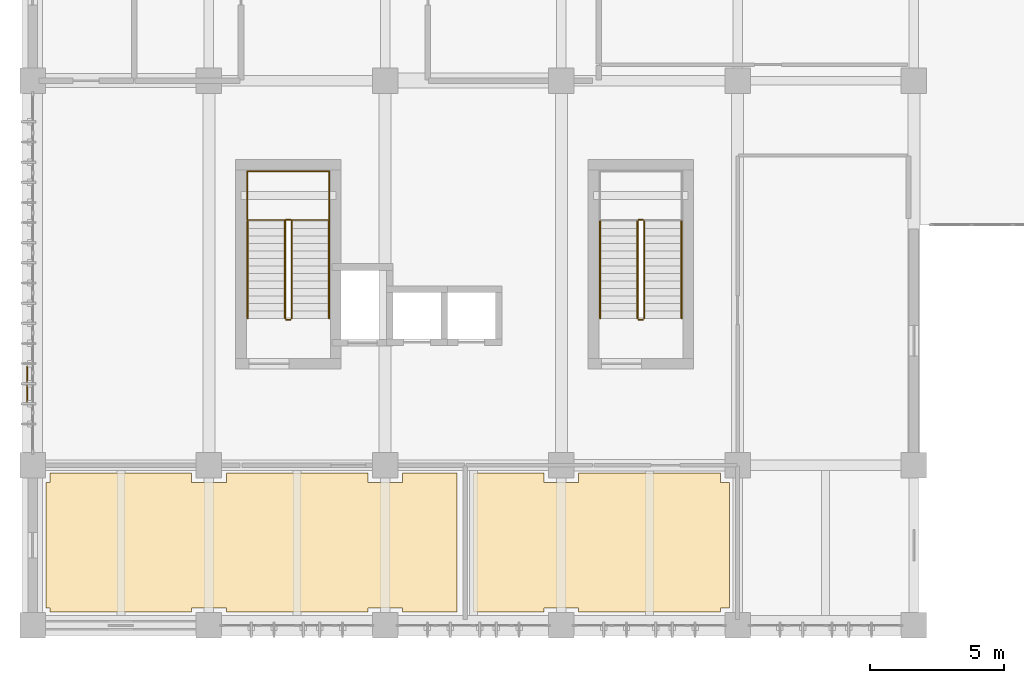
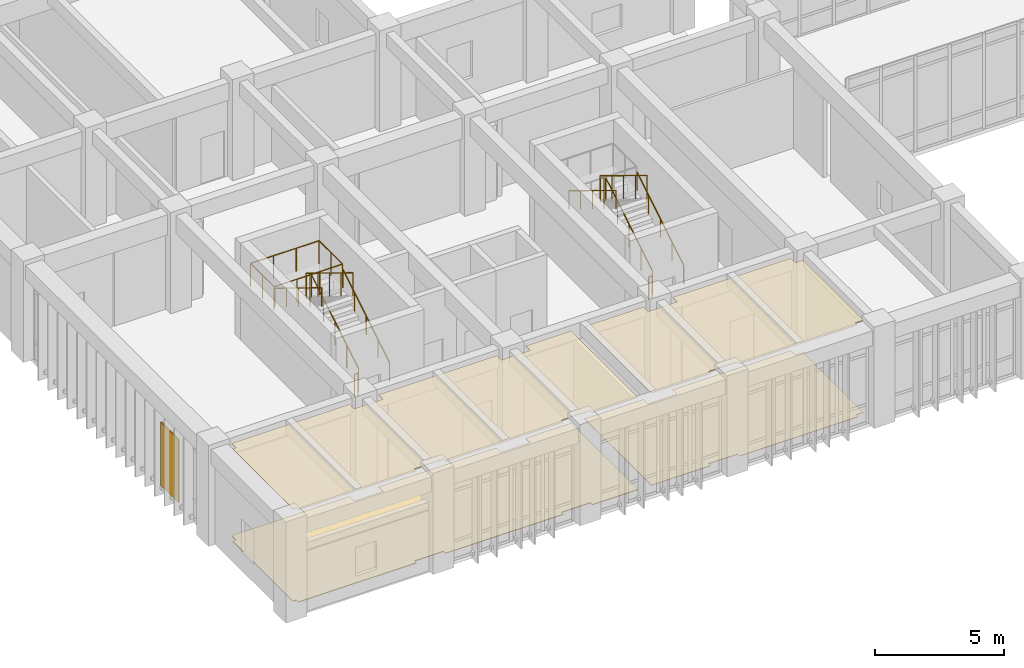
# One storey, part 58 of 65: 14 railings, 5 coverings.
"""IFC4 building model written with IfcOpenShell, lengths in metres."""

from ifc_helpers import new_model, si_unit, direction, frame, origin, origin_2d, place, context, subcontext, project, spatial, polyline, rectangle, circle, outline, extrude, material, layer, layer_set, type_object, element, save


model = new_model("IFC4")

# Units and contexts
model_context = context("Model", 3, precision=1e-05, world=origin(), true_north=direction((0.0, 1.0)))
body_context = subcontext(model_context, "Body", "Model", "MODEL_VIEW")
ifc_project = project(units=[si_unit("LENGTHUNIT", "METRE"), si_unit("AREAUNIT", "SQUARE_METRE"), si_unit("VOLUMEUNIT", "CUBIC_METRE"), si_unit("PLANEANGLEUNIT", "RADIAN"), si_unit("MASSUNIT", "GRAM", prefix="KILO")], contexts=[model_context])

# Site, building, storey
site_placement = place(None, origin())
site = spatial("IfcSite", under=ifc_project, at=site_placement, CompositionType="ELEMENT")
building_placement = place(site_placement, origin())
building = spatial("IfcBuilding", under=site, at=building_placement, Name="Miralva Faculty of Natural Sciences", CompositionType="ELEMENT")
storey_placement = place(building_placement, frame((0.0, 0.0, 10.199951171875)))
storey = spatial("IfcBuildingStorey", under=building, at=storey_placement, Name="L02", CompositionType="ELEMENT", Elevation=10.199951171875)

# Coverings
ifc_material_1 = material(Name="Volcanic tuff architectural stone", Category="masonry")
ifc_layer_1 = layer(ifc_material_1, 0.044921875, Name="COV-CD01")
ifc_layer_set_1 = layer_set([ifc_layer_1], Name="Volcanic tuff architectural stone")
covering_type_1 = type_object("IfcCoveringType", Name="COV-CD01", PredefinedType="CLADDING", material=ifc_layer_set_1)
covering_1_placement = place(storey_placement, frame((2.800048828125, 12.0, 0.300048828125), z_axis=(0.0, 0.0, 1.0), x_axis=(1.0, 0.0, 0.0)))
element("IfcCovering", 1, at=covering_1_placement, inside=storey, type_object=covering_type_1, Name="Volcanic tuff stone corner fascia cladding L02", PredefinedType="CLADDING", context=body_context, shape_type="SweptSolid", body=[
    extrude(rectangle(XDim=0.044921875, YDim=1.39990234375, at=origin_2d()), origin(), (0.0, 0.0, 1.0), 3.0),
])
ifc_material_2 = material(Name="Acoustic mineral-fibre board")
ifc_layer_2 = layer(ifc_material_2, 0.02197265625, Name="COV-CL01")
ifc_layer_set_2 = layer_set([ifc_layer_2], Name="Acoustic mineral-fibre board")
covering_type_2 = type_object("IfcCoveringType", Name="COV-CL01", PredefinedType="CEILING", material=ifc_layer_set_2)
covering_2_placement = place(storey_placement, frame((0.0, 0.0, 4.3779296875)))
element("IfcCovering", 2, at=covering_2_placement, inside=storey, type_object=covering_type_2, Name="Suspended acoustic ceiling L02-01", PredefinedType="CEILING", context=body_context, shape_type="SweptSolid", body=[
    extrude(outline(polyline([(8.949951171875, 8.699951171875), (8.949951171875, 8.35009765625), (10.25, 8.35009765625), (10.25, 8.699951171875), (15.550048828125, 8.699951171875), (15.550048828125, 8.35009765625), (16.85009765625, 8.35009765625), (16.85009765625, 8.699951171875), (18.89990234375, 8.699951171875), (18.89990234375, 3.5), (16.85009765625, 3.5), (16.85009765625, 3.64990234375), (15.550048828125, 3.64990234375), (15.550048828125, 3.5), (10.25, 3.5), (10.25, 3.64990234375), (8.949951171875, 3.64990234375), (8.949951171875, 3.5), (3.64990234375, 3.5), (3.64990234375, 3.64990234375), (3.5, 3.64990234375), (3.5, 8.35009765625), (3.64990234375, 8.35009765625), (3.64990234375, 8.699951171875), (8.949951171875, 8.699951171875)])), origin(), (0.0, 0.0, 1.0), 0.022216796875),
])
ifc_material_3 = material(Name="Gypsum plasterboard")
ifc_layer_3 = layer(ifc_material_3, 0.028076171875, Name="COV-CL02")
ifc_layer_set_3 = layer_set([ifc_layer_3], Name="Gypsum plasterboard")
covering_type_3 = type_object("IfcCoveringType", Name="COV-CL02", PredefinedType="CEILING", material=ifc_layer_set_3)
covering_3_placement = place(storey_placement, frame((0.0, 0.0, 4.3720703125)))
element("IfcCovering", 3, at=covering_3_placement, inside=storey, type_object=covering_type_3, Name="Suspended acoustic ceiling L02-02", PredefinedType="CEILING", context=body_context, shape_type="SweptSolid", body=[
    extrude(outline(polyline([(22.14990234375, 3.64990234375), (22.14990234375, 3.5), (19.5, 3.5), (19.5, 8.699951171875), (22.14990234375, 8.699951171875), (22.14990234375, 8.35009765625), (23.449951171875, 8.35009765625), (23.449951171875, 8.699951171875), (28.75, 8.699951171875), (28.75, 8.35009765625), (29.10009765625, 8.35009765625), (29.10009765625, 3.64990234375), (28.75, 3.64990234375), (28.75, 3.5), (23.449951171875, 3.5), (23.449951171875, 3.64990234375), (22.14990234375, 3.64990234375)])), origin(), (0.0, 0.0, 1.0), 0.028076171875),
])
ifc_material_4 = material(Name="Polished terrazzo flooring")
ifc_layer_4 = layer(ifc_material_4, 0.030029296875, Name="COV-FL01")
ifc_layer_set_4 = layer_set([ifc_layer_4], Name="Polished terrazzo flooring")
covering_type_4 = type_object("IfcCoveringType", Name="COV-FL01", PredefinedType="FLOORING", material=ifc_layer_set_4)
covering_4_placement = place(storey_placement, origin())
element("IfcCovering", 4, at=covering_4_placement, inside=storey, type_object=covering_type_4, Name="Finished flooring L02-01", PredefinedType="FLOORING", context=body_context, shape_type="SweptSolid", body=[
    extrude(outline(polyline([(8.949951171875, 8.699951171875), (8.949951171875, 8.35009765625), (10.25, 8.35009765625), (10.25, 8.699951171875), (15.550048828125, 8.699951171875), (15.550048828125, 8.35009765625), (16.85009765625, 8.35009765625), (16.85009765625, 8.699951171875), (18.89990234375, 8.699951171875), (18.89990234375, 3.5), (16.85009765625, 3.5), (16.85009765625, 3.64990234375), (15.550048828125, 3.64990234375), (15.550048828125, 3.5), (10.25, 3.5), (10.25, 3.64990234375), (8.949951171875, 3.64990234375), (8.949951171875, 3.5), (3.64990234375, 3.5), (3.64990234375, 3.64990234375), (3.5, 3.64990234375), (3.5, 8.35009765625), (3.64990234375, 8.35009765625), (3.64990234375, 8.699951171875), (8.949951171875, 8.699951171875)])), origin(), (0.0, 0.0, 1.0), 0.030029296875),
])
ifc_layer_5 = layer(ifc_material_4, 0.01806640625, Name="COV-FL02")
ifc_layer_set_5 = layer_set([ifc_layer_5], Name="Polished terrazzo flooring")
covering_type_5 = type_object("IfcCoveringType", Name="COV-FL02", PredefinedType="FLOORING", material=ifc_layer_set_5)
covering_5_placement = place(storey_placement, origin())
element("IfcCovering", 5, at=covering_5_placement, inside=storey, type_object=covering_type_5, Name="Finished flooring L02-02", PredefinedType="FLOORING", context=body_context, shape_type="SweptSolid", body=[
    extrude(outline(polyline([(22.14990234375, 3.64990234375), (22.14990234375, 3.5), (19.5, 3.5), (19.5, 8.699951171875), (22.14990234375, 8.699951171875), (22.14990234375, 8.35009765625), (23.449951171875, 8.35009765625), (23.449951171875, 8.699951171875), (28.75, 8.699951171875), (28.75, 8.35009765625), (29.10009765625, 8.35009765625), (29.10009765625, 3.64990234375), (28.75, 3.64990234375), (28.75, 3.5), (23.449951171875, 3.5), (23.449951171875, 3.64990234375), (22.14990234375, 3.64990234375)])), origin(), (0.0, 0.0, 1.0), 0.01806640625),
])

# Railings
ifc_material_5 = material(Name="Steel S355", Category="steel")
railing_type_1 = type_object("IfcRailingType", Name="RL-GR01", PredefinedType="GUARDRAIL", material=ifc_material_5)
railing_1_placement = place(storey_placement, frame((12.699951171875, 14.5, 0.17138671875)))
element("IfcRailing", 6, at=railing_1_placement, inside=storey, type_object=railing_type_1, Name="Stair Core C1 safety guard L02-1", PredefinedType="GUARDRAIL", context=body_context, shape_type="SweptSolid", body=[
    extrude(circle(Radius=0.02392578125, at=origin_2d()), frame((0.0, 0.0, 1.09619140625), z_axis=(0.0, 0.852824790078, 0.522197163366), x_axis=(-1.0, 0.0, 0.0)), (0.0, 0.0, 1.0), 4.26806640625),
    extrude(circle(Radius=0.02099609375, at=origin_2d()), origin(), (0.0, 0.0, 1.0), 1.072021484375),
    extrude(circle(Radius=0.02099609375, at=origin_2d()), frame((0.0, 0.909912109375, 0.55712890625)), (0.0, 0.0, 1.0), 1.072021484375),
    extrude(circle(Radius=0.02099609375, at=origin_2d()), frame((0.0, 1.81982421875, 1.1142578125)), (0.0, 0.0, 1.0), 1.072021484375),
    extrude(circle(Radius=0.02099609375, at=origin_2d()), frame((0.0, 2.72998046875, 1.671630859375)), (0.0, 0.0, 1.0), 1.072021484375),
    extrude(circle(Radius=0.02099609375, at=origin_2d()), frame((0.0, 3.639892578125, 2.228759765625)), (0.0, 0.0, 1.0), 1.072021484375),
])
railing_2_placement = place(storey_placement, frame((12.64990234375, 18.18994140625, 2.400146484375)))
element("IfcRailing", 7, at=railing_2_placement, inside=storey, type_object=railing_type_1, Name="Stair Core C1 safety guard L02-2", PredefinedType="GUARDRAIL", context=body_context, shape_type="SweptSolid", body=[
    extrude(circle(Radius=0.02392578125, at=origin_2d()), frame((0.0, 0.0, 1.09619140625), z_axis=(-1.0, 0.0, 0.0), x_axis=(0.0, -1.0, 0.0)), (0.0, 0.0, 1.0), 0.14990234375),
    extrude(circle(Radius=0.02099609375, at=origin_2d()), origin(), (0.0, 0.0, 1.0), 1.072021484375),
    extrude(circle(Radius=0.02099609375, at=origin_2d()), frame((-0.14990234375, 0.0, 0.0)), (0.0, 0.0, 1.0), 1.072021484375),
])
railing_3_placement = place(storey_placement, frame((12.449951171875, 18.139892578125, 2.571533203125)))
element("IfcRailing", 8, at=railing_3_placement, inside=storey, type_object=railing_type_1, Name="Stair Core C1 safety guard L02-3", PredefinedType="GUARDRAIL", context=body_context, shape_type="SweptSolid", body=[
    extrude(circle(Radius=0.02392578125, at=origin_2d()), frame((0.0, 0.0, 1.09619140625), z_axis=(0.0, -0.852850264322, 0.5221555579), x_axis=(1.0, 0.0, 0.0)), (0.0, 0.0, 1.0), 4.267822265625),
    extrude(circle(Radius=0.02099609375, at=origin_2d()), origin(), (0.0, 0.0, 1.0), 1.072021484375),
    extrude(circle(Radius=0.02099609375, at=origin_2d()), frame((0.0, -0.909912109375, 0.55712890625)), (0.0, 0.0, 1.0), 1.072021484375),
    extrude(circle(Radius=0.02099609375, at=origin_2d()), frame((0.0, -1.81982421875, 1.1142578125)), (0.0, 0.0, 1.0), 1.072021484375),
    extrude(circle(Radius=0.02099609375, at=origin_2d()), frame((0.0, -2.72998046875, 1.67138671875)), (0.0, 0.0, 1.0), 1.072021484375),
    extrude(circle(Radius=0.02099609375, at=origin_2d()), frame((0.0, -3.639892578125, 2.228515625)), (0.0, 0.0, 1.0), 1.072021484375),
])
railing_4_placement = place(storey_placement, frame((12.64990234375, 14.449951171875, 0.0)))
element("IfcRailing", 9, at=railing_4_placement, inside=storey, type_object=railing_type_1, Name="Stair Core C1 safety guard L02-4", PredefinedType="GUARDRAIL", context=body_context, shape_type="SweptSolid", body=[
    extrude(circle(Radius=0.02392578125, at=origin_2d()), frame((0.0, 0.0, 1.09619140625), z_axis=(-1.0, 0.0, 0.0), x_axis=(0.0, -1.0, 0.0)), (0.0, 0.0, 1.0), 0.14990234375),
    extrude(circle(Radius=0.02099609375, at=origin_2d()), origin(), (0.0, 0.0, 1.0), 1.072021484375),
    extrude(circle(Radius=0.02099609375, at=origin_2d()), frame((-0.14990234375, 0.0, 0.0)), (0.0, 0.0, 1.0), 1.072021484375),
])
railing_5_placement = place(storey_placement, frame((11.0400390625, 18.179931640625, 2.400146484375)))
element("IfcRailing", 10, at=railing_5_placement, inside=storey, type_object=railing_type_1, Name="Stair Core C1 half-landing guard L02-1A", PredefinedType="GUARDRAIL", context=body_context, shape_type="SweptSolid", body=[
    extrude(circle(Radius=0.02392578125, at=origin_2d()), frame((0.0, 0.0, 1.09619140625), z_axis=(0.0, 1.0, 0.0), x_axis=(-1.0, 0.0, 0.0)), (0.0, 0.0, 1.0), 1.830078125),
    extrude(circle(Radius=0.02392578125, at=origin_2d()), frame((0.0, 1.830078125, 1.09619140625), z_axis=(1.0, 0.0, 0.0), x_axis=(0.0, 1.0, 0.0)), (0.0, 0.0, 1.0), 3.070068359375),
    extrude(circle(Radius=0.02099609375, at=origin_2d()), origin(), (0.0, 0.0, 1.0), 1.072021484375),
    extrude(circle(Radius=0.02099609375, at=origin_2d()), frame((0.0, 0.9150390625, 0.0)), (0.0, 0.0, 1.0), 1.072021484375),
    extrude(circle(Radius=0.02099609375, at=origin_2d()), frame((0.0, 1.830078125, 0.0)), (0.0, 0.0, 1.0), 1.072021484375),
    extrude(circle(Radius=0.02099609375, at=origin_2d()), frame((1.0234375, 1.830078125, 0.0)), (0.0, 0.0, 1.0), 1.072021484375),
    extrude(circle(Radius=0.02099609375, at=origin_2d()), frame((2.046630859375, 1.830078125, 0.0)), (0.0, 0.0, 1.0), 1.072021484375),
    extrude(circle(Radius=0.02099609375, at=origin_2d()), frame((3.070068359375, 1.830078125, 0.0)), (0.0, 0.0, 1.0), 1.072021484375),
])
railing_6_placement = place(storey_placement, frame((14.110107421875, 20.010009765625, 2.400146484375)))
element("IfcRailing", 11, at=railing_6_placement, inside=storey, type_object=railing_type_1, Name="Stair Core C1 half-landing guard L02-1B", PredefinedType="GUARDRAIL", context=body_context, shape_type="SweptSolid", body=[
    extrude(circle(Radius=0.02392578125, at=origin_2d()), frame((0.0, 0.0, 1.09619140625), z_axis=(0.0, -1.0, 0.0), x_axis=(1.0, 0.0, 0.0)), (0.0, 0.0, 1.0), 1.830078125),
    extrude(circle(Radius=0.02392578125, at=origin_2d()), frame((0.0, -1.830078125, 1.09619140625), z_axis=(-1.0, 0.0, 0.0), x_axis=(0.0, -1.0, 0.0)), (0.0, 0.0, 1.0), 3.070068359375),
    extrude(circle(Radius=0.02099609375, at=origin_2d()), origin(), (0.0, 0.0, 1.0), 1.072021484375),
    extrude(circle(Radius=0.02099609375, at=origin_2d()), frame((0.0, -0.9150390625, 0.0)), (0.0, 0.0, 1.0), 1.072021484375),
    extrude(circle(Radius=0.02099609375, at=origin_2d()), frame((0.0, -1.830078125, 0.0)), (0.0, 0.0, 1.0), 1.072021484375),
    extrude(circle(Radius=0.02099609375, at=origin_2d()), frame((-1.0234375, -1.830078125, 0.0)), (0.0, 0.0, 1.0), 1.072021484375),
    extrude(circle(Radius=0.02099609375, at=origin_2d()), frame((-2.046630859375, -1.830078125, 0.0)), (0.0, 0.0, 1.0), 1.072021484375),
    extrude(circle(Radius=0.02099609375, at=origin_2d()), frame((-3.070068359375, -1.830078125, 0.0)), (0.0, 0.0, 1.0), 1.072021484375),
])
railing_7_placement = place(storey_placement, frame((25.89990234375, 14.5, 0.17138671875)))
element("IfcRailing", 12, at=railing_7_placement, inside=storey, type_object=railing_type_1, Name="Stair Core C1B safety guard L02-1", PredefinedType="GUARDRAIL", context=body_context, shape_type="SweptSolid", body=[
    extrude(circle(Radius=0.02392578125, at=origin_2d()), frame((0.0, 0.0, 1.09619140625), z_axis=(0.0, 0.852824790078, 0.522197163366), x_axis=(-1.0, 0.0, 0.0)), (0.0, 0.0, 1.0), 4.26806640625),
    extrude(circle(Radius=0.02099609375, at=origin_2d()), origin(), (0.0, 0.0, 1.0), 1.072021484375),
    extrude(circle(Radius=0.02099609375, at=origin_2d()), frame((0.0, 0.909912109375, 0.55712890625)), (0.0, 0.0, 1.0), 1.072021484375),
    extrude(circle(Radius=0.02099609375, at=origin_2d()), frame((0.0, 1.81982421875, 1.1142578125)), (0.0, 0.0, 1.0), 1.072021484375),
    extrude(circle(Radius=0.02099609375, at=origin_2d()), frame((0.0, 2.72998046875, 1.671630859375)), (0.0, 0.0, 1.0), 1.072021484375),
    extrude(circle(Radius=0.02099609375, at=origin_2d()), frame((0.0, 3.639892578125, 2.228759765625)), (0.0, 0.0, 1.0), 1.072021484375),
])
railing_8_placement = place(storey_placement, frame((25.85009765625, 18.18994140625, 2.400146484375)))
element("IfcRailing", 13, at=railing_8_placement, inside=storey, type_object=railing_type_1, Name="Stair Core C1B safety guard L02-2", PredefinedType="GUARDRAIL", context=body_context, shape_type="SweptSolid", body=[
    extrude(circle(Radius=0.02392578125, at=origin_2d()), frame((0.0, 0.0, 1.09619140625), z_axis=(-1.0, 0.0, 0.0), x_axis=(0.0, -1.0, 0.0)), (0.0, 0.0, 1.0), 0.150146484375),
    extrude(circle(Radius=0.02099609375, at=origin_2d()), origin(), (0.0, 0.0, 1.0), 1.072021484375),
    extrude(circle(Radius=0.02099609375, at=origin_2d()), frame((-0.150146484375, 0.0, 0.0)), (0.0, 0.0, 1.0), 1.072021484375),
])
railing_9_placement = place(storey_placement, frame((25.64990234375, 18.139892578125, 2.571533203125)))
element("IfcRailing", 14, at=railing_9_placement, inside=storey, type_object=railing_type_1, Name="Stair Core C1B safety guard L02-3", PredefinedType="GUARDRAIL", context=body_context, shape_type="SweptSolid", body=[
    extrude(circle(Radius=0.02392578125, at=origin_2d()), frame((0.0, 0.0, 1.09619140625), z_axis=(0.0, -0.852850264322, 0.5221555579), x_axis=(1.0, 0.0, 0.0)), (0.0, 0.0, 1.0), 4.267822265625),
    extrude(circle(Radius=0.02099609375, at=origin_2d()), origin(), (0.0, 0.0, 1.0), 1.072021484375),
    extrude(circle(Radius=0.02099609375, at=origin_2d()), frame((0.0, -0.909912109375, 0.55712890625)), (0.0, 0.0, 1.0), 1.072021484375),
    extrude(circle(Radius=0.02099609375, at=origin_2d()), frame((0.0, -1.81982421875, 1.1142578125)), (0.0, 0.0, 1.0), 1.072021484375),
    extrude(circle(Radius=0.02099609375, at=origin_2d()), frame((0.0, -2.72998046875, 1.67138671875)), (0.0, 0.0, 1.0), 1.072021484375),
    extrude(circle(Radius=0.02099609375, at=origin_2d()), frame((0.0, -3.639892578125, 2.228515625)), (0.0, 0.0, 1.0), 1.072021484375),
])
railing_10_placement = place(storey_placement, frame((25.85009765625, 14.449951171875, 0.0)))
element("IfcRailing", 15, at=railing_10_placement, inside=storey, type_object=railing_type_1, Name="Stair Core C1B safety guard L02-4", PredefinedType="GUARDRAIL", context=body_context, shape_type="SweptSolid", body=[
    extrude(circle(Radius=0.02392578125, at=origin_2d()), frame((0.0, 0.0, 1.09619140625), z_axis=(-1.0, 0.0, 0.0), x_axis=(0.0, -1.0, 0.0)), (0.0, 0.0, 1.0), 0.150146484375),
    extrude(circle(Radius=0.02099609375, at=origin_2d()), origin(), (0.0, 0.0, 1.0), 1.072021484375),
    extrude(circle(Radius=0.02099609375, at=origin_2d()), frame((-0.150146484375, 0.0, 0.0)), (0.0, 0.0, 1.0), 1.072021484375),
])
railing_type_2 = type_object("IfcRailingType", Name="RL-HR01", PredefinedType="HANDRAIL", material=ifc_material_5)
railing_11_placement = place(storey_placement, frame((14.10009765625, 14.5, 0.17138671875)))
element("IfcRailing", 16, at=railing_11_placement, inside=storey, type_object=railing_type_2, Name="Stair Core C1 handrail L02-1", PredefinedType="HANDRAIL", context=body_context, shape_type="SweptSolid", body=[
    extrude(circle(Radius=0.02392578125, at=origin_2d()), frame((0.0, 0.0, 0.8759765625), z_axis=(0.0, 0.852824790078, 0.522197163366), x_axis=(-1.0, 0.0, 0.0)), (0.0, 0.0, 1.0), 4.26806640625),
    extrude(circle(Radius=0.02099609375, at=origin_2d()), origin(), (0.0, 0.0, 1.0), 0.851806640625),
    extrude(circle(Radius=0.02099609375, at=origin_2d()), frame((0.0, 0.909912109375, 0.55712890625)), (0.0, 0.0, 1.0), 0.851806640625),
    extrude(circle(Radius=0.02099609375, at=origin_2d()), frame((0.0, 1.81982421875, 1.1142578125)), (0.0, 0.0, 1.0), 0.851806640625),
    extrude(circle(Radius=0.02099609375, at=origin_2d()), frame((0.0, 2.72998046875, 1.671630859375)), (0.0, 0.0, 1.0), 0.851806640625),
    extrude(circle(Radius=0.02099609375, at=origin_2d()), frame((0.0, 3.639892578125, 2.228759765625)), (0.0, 0.0, 1.0), 0.851806640625),
])
railing_12_placement = place(storey_placement, frame((11.050048828125, 18.139892578125, 2.571533203125)))
element("IfcRailing", 17, at=railing_12_placement, inside=storey, type_object=railing_type_2, Name="Stair Core C1 handrail L02-2", PredefinedType="HANDRAIL", context=body_context, shape_type="SweptSolid", body=[
    extrude(circle(Radius=0.02392578125, at=origin_2d()), frame((0.0, 0.0, 0.8759765625), z_axis=(0.0, -0.852850264322, 0.5221555579), x_axis=(1.0, 0.0, 0.0)), (0.0, 0.0, 1.0), 4.267822265625),
    extrude(circle(Radius=0.02099609375, at=origin_2d()), origin(), (0.0, 0.0, 1.0), 0.851806640625),
    extrude(circle(Radius=0.02099609375, at=origin_2d()), frame((0.0, -0.909912109375, 0.55712890625)), (0.0, 0.0, 1.0), 0.851806640625),
    extrude(circle(Radius=0.02099609375, at=origin_2d()), frame((0.0, -1.81982421875, 1.1142578125)), (0.0, 0.0, 1.0), 0.851806640625),
    extrude(circle(Radius=0.02099609375, at=origin_2d()), frame((0.0, -2.72998046875, 1.67138671875)), (0.0, 0.0, 1.0), 0.851806640625),
    extrude(circle(Radius=0.02099609375, at=origin_2d()), frame((0.0, -3.639892578125, 2.228515625)), (0.0, 0.0, 1.0), 0.851806640625),
])
railing_13_placement = place(storey_placement, frame((27.300048828125, 14.5, 0.17138671875)))
element("IfcRailing", 18, at=railing_13_placement, inside=storey, type_object=railing_type_2, Name="Stair Core C1B handrail L02-1", PredefinedType="HANDRAIL", context=body_context, shape_type="SweptSolid", body=[
    extrude(circle(Radius=0.02392578125, at=origin_2d()), frame((0.0, 0.0, 0.8759765625), z_axis=(0.0, 0.852824790078, 0.522197163366), x_axis=(-1.0, 0.0, 0.0)), (0.0, 0.0, 1.0), 4.26806640625),
    extrude(circle(Radius=0.02099609375, at=origin_2d()), origin(), (0.0, 0.0, 1.0), 0.851806640625),
    extrude(circle(Radius=0.02099609375, at=origin_2d()), frame((0.0, 0.909912109375, 0.55712890625)), (0.0, 0.0, 1.0), 0.851806640625),
    extrude(circle(Radius=0.02099609375, at=origin_2d()), frame((0.0, 1.81982421875, 1.1142578125)), (0.0, 0.0, 1.0), 0.851806640625),
    extrude(circle(Radius=0.02099609375, at=origin_2d()), frame((0.0, 2.72998046875, 1.671630859375)), (0.0, 0.0, 1.0), 0.851806640625),
    extrude(circle(Radius=0.02099609375, at=origin_2d()), frame((0.0, 3.639892578125, 2.228759765625)), (0.0, 0.0, 1.0), 0.851806640625),
])
railing_14_placement = place(storey_placement, frame((24.25, 18.139892578125, 2.571533203125)))
element("IfcRailing", 19, at=railing_14_placement, inside=storey, type_object=railing_type_2, Name="Stair Core C1B handrail L02-2", PredefinedType="HANDRAIL", context=body_context, shape_type="SweptSolid", body=[
    extrude(circle(Radius=0.02392578125, at=origin_2d()), frame((0.0, 0.0, 0.8759765625), z_axis=(0.0, -0.852850264322, 0.5221555579), x_axis=(1.0, 0.0, 0.0)), (0.0, 0.0, 1.0), 4.267822265625),
    extrude(circle(Radius=0.02099609375, at=origin_2d()), origin(), (0.0, 0.0, 1.0), 0.851806640625),
    extrude(circle(Radius=0.02099609375, at=origin_2d()), frame((0.0, -0.909912109375, 0.55712890625)), (0.0, 0.0, 1.0), 0.851806640625),
    extrude(circle(Radius=0.02099609375, at=origin_2d()), frame((0.0, -1.81982421875, 1.1142578125)), (0.0, 0.0, 1.0), 0.851806640625),
    extrude(circle(Radius=0.02099609375, at=origin_2d()), frame((0.0, -2.72998046875, 1.67138671875)), (0.0, 0.0, 1.0), 0.851806640625),
    extrude(circle(Radius=0.02099609375, at=origin_2d()), frame((0.0, -3.639892578125, 2.228515625)), (0.0, 0.0, 1.0), 0.851806640625),
])

save(model, "model.ifc")
